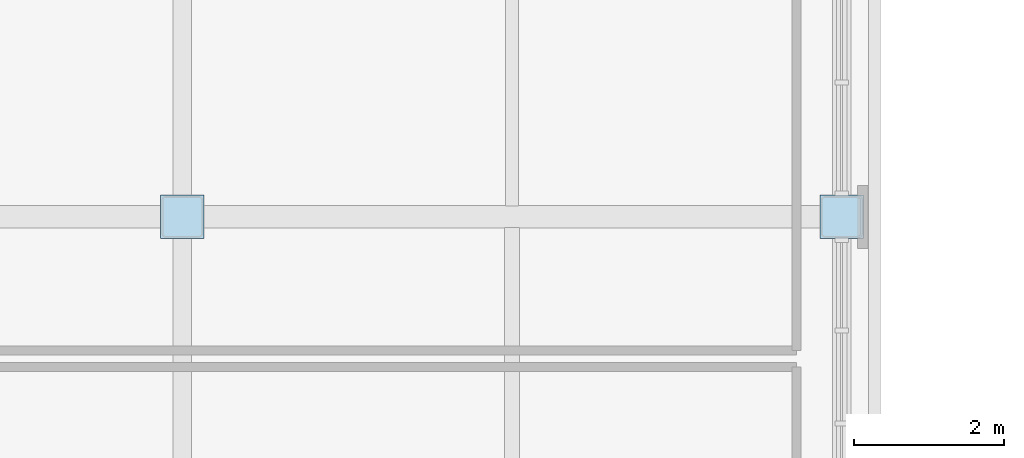
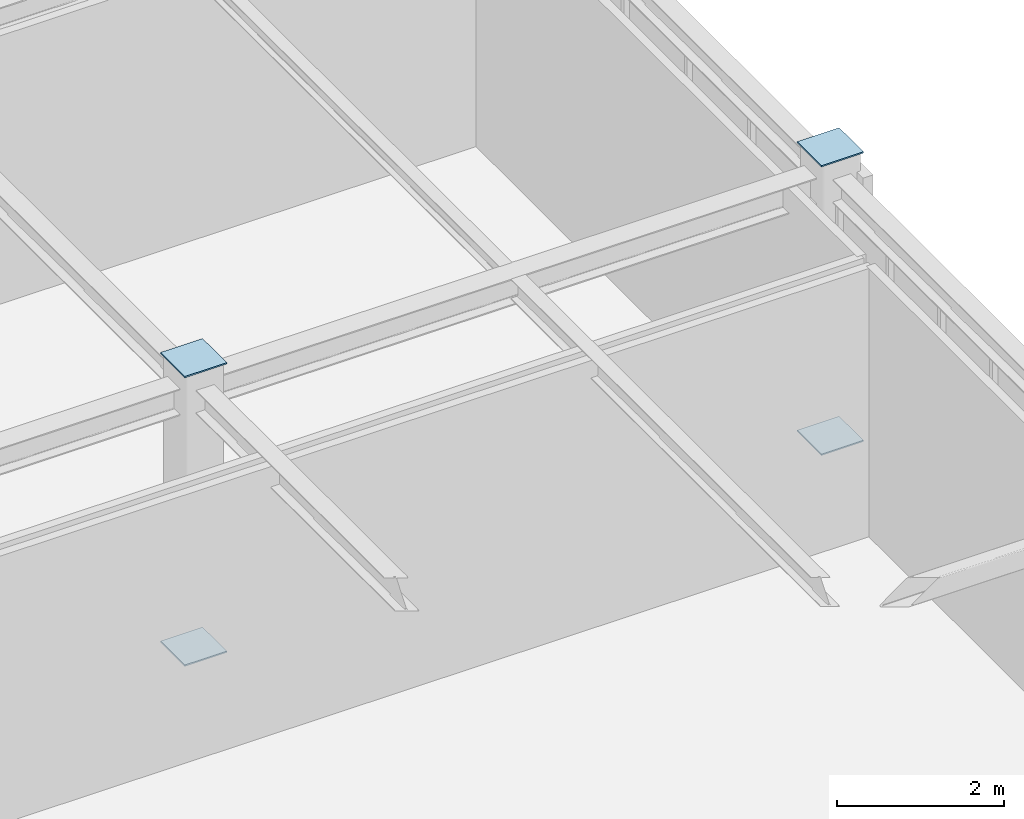
# One storey, part 62 of 88: 4 plates.
"""IFC4 building model written with IfcOpenShell, lengths in metres."""

from ifc_helpers import new_model, si_unit, direction, frame, origin, origin_2d, place, context, subcontext, project, spatial, rectangle, extrude, material, layer, layer_set, type_object, element, save


model = new_model("IFC4")

# Units and contexts
model_context = context("Model", 3, precision=1e-05, world=origin(), true_north=direction((0.0, 1.0)))
body_context = subcontext(model_context, "Body", "Model", "MODEL_VIEW")
ifc_project = project(units=[si_unit("LENGTHUNIT", "METRE"), si_unit("AREAUNIT", "SQUARE_METRE"), si_unit("VOLUMEUNIT", "CUBIC_METRE"), si_unit("PLANEANGLEUNIT", "RADIAN"), si_unit("MASSUNIT", "GRAM", prefix="KILO")], contexts=[model_context])

# Site, building, storey
site_placement = place(None, origin())
site = spatial("IfcSite", under=ifc_project, at=site_placement, CompositionType="ELEMENT")
building_placement = place(site_placement, origin())
building = spatial("IfcBuilding", under=site, at=building_placement, Name="Zhaolan Boulevard Law Courts", CompositionType="ELEMENT")
storey_placement = place(building_placement, frame((0.0, 0.0, 16.199951171875)))
storey = spatial("IfcBuildingStorey", under=building, at=storey_placement, Name="L03", CompositionType="ELEMENT", Elevation=16.199951171875)

# Plates
ifc_material = material(Name="Structural steel Q355B", Category="steel")
ifc_layer = layer(ifc_material, 0.02001953125)
ifc_layer_set = layer_set([ifc_layer])
plate_type = type_object("IfcPlateType", Name="END CAP PLATE 20", PredefinedType="SHEET", material=ifc_layer_set)
for number, where, z_axis, x_axis, name in (
    (1, (35.199951171875, 70.0, -0.01806640625), (0.0, 0.0, 1.0), (1.0, 0.0, 0.0), "Hollow Section End-Cap Plate ECP-0473"),
    (2, (35.199951171875, 70.0, 4.197998046875), (0.0, 0.0, 1.0), (1.0, 0.0, 0.0), "Hollow Section End-Cap Plate ECP-0474"),
    (3, (44.0, 70.0, -0.01806640625), (0.0, 0.0, 1.0), (1.0, 0.0, 0.0), "Hollow Section End-Cap Plate ECP-0585"),
    (4, (44.0, 70.0, 4.197998046875), (0.0, 0.0, 1.0), (1.0, 0.0, 0.0), "Hollow Section End-Cap Plate ECP-0586"),
):
    element("IfcPlate", number, at=place(storey_placement, frame(where, z_axis=z_axis, x_axis=x_axis)), inside=storey, type_object=plate_type, Name=name, PredefinedType="SHEET", context=body_context, shape_type="SweptSolid", body=[
        extrude(rectangle(XDim=0.580078125, YDim=0.580078125, at=origin_2d()), origin(), (0.0, 0.0, 1.0), 0.02001953125),
    ])

save(model, "model.ifc")
